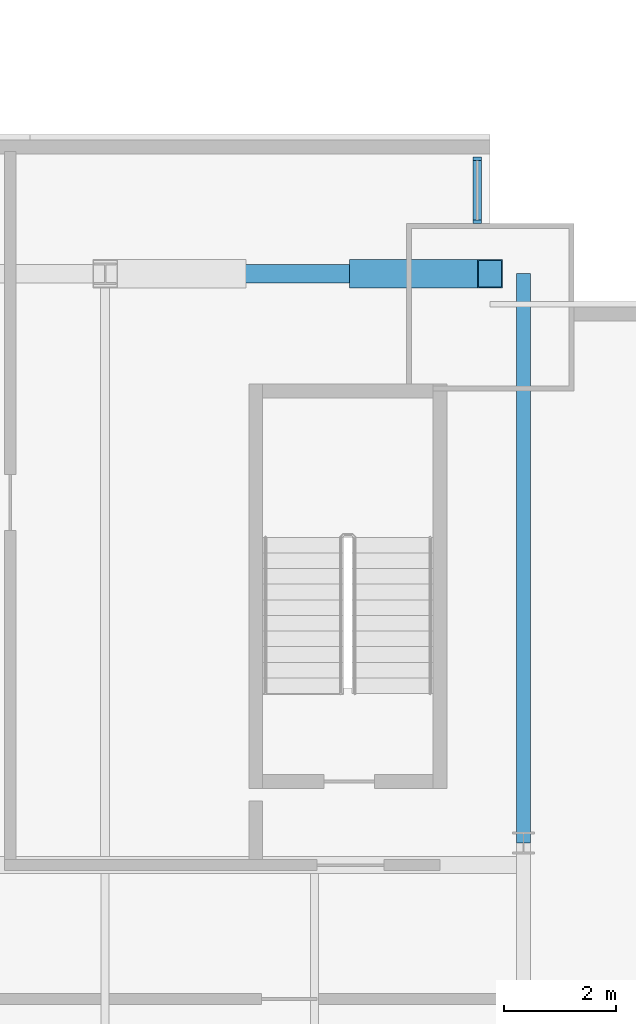
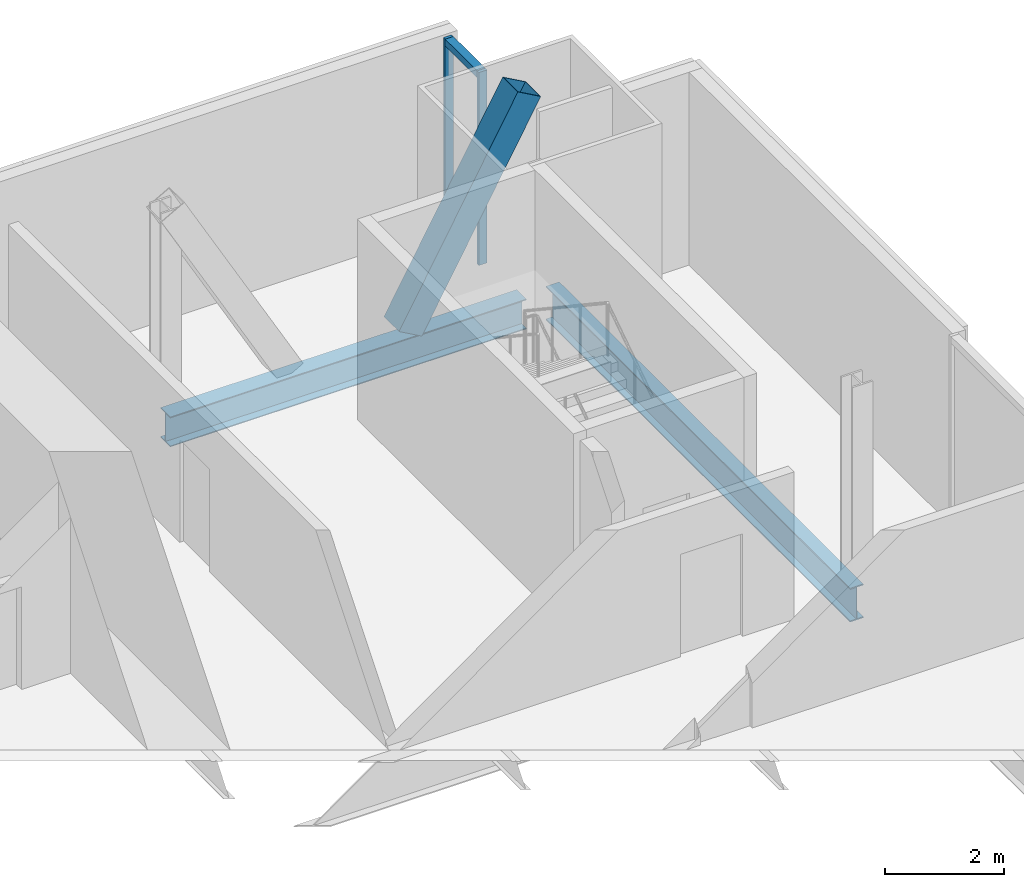
# One storey, part 13 of 21: 4 members, 2 beams, 1 element without a shape of its own.
"""IFC4 building model written with IfcOpenShell, lengths in metres."""

import ifcopenshell
import ifcopenshell.guid

model = None  # the IFC model being written
_history = None  # IfcOwnerHistory: only IFC2X3 demands one
_inside = {}  # id of a spatial element -> (the spatial element, [elements in it])
_under = {}  # id of a project, library or spatial element -> (it, [spatial elements below it])
_declared = {}  # id of a project -> (the project, [libraries it declares])
_typed = {}  # id of a type object -> (the type object, [elements of that type])
_made_of = {}  # id of a material, layer set ... -> (it, [elements and type objects made of it])


def new_model(schema):
    """Start an empty IFC model of exactly this schema.

    Asked for "IFC4X3", IfcOpenShell would pick the latest addendum, in which some entities
    have other attributes; the version numbers below select the first issue.
    IFC2X3 requires an IfcOwnerHistory on every rooted entity: one is made here for all.
    """
    global model, _history
    if schema == "IFC4X3":
        model = ifcopenshell.file(schema_version=(4, 3, 0, 0))
    else:
        model = ifcopenshell.file(schema=schema)
    _inside.clear()
    _under.clear()
    _declared.clear()
    _typed.clear()
    _made_of.clear()
    _history = None
    if model.schema == "IFC2X3":
        org = make("IfcOrganization", Name="unknown")
        user = make(
            "IfcPersonAndOrganization",
            ThePerson=make("IfcPerson", FamilyName="unknown"),
            TheOrganization=org,
        )
        app = make(
            "IfcApplication",
            ApplicationDeveloper=org,
            Version="unknown",
            ApplicationFullName="unknown",
            ApplicationIdentifier="unknown",
        )
        _history = make(
            "IfcOwnerHistory",
            OwningUser=user,
            OwningApplication=app,
            ChangeAction="ADDED",
            CreationDate=0,
        )
    return model


def make(cls, **values):
    """One entity of the class cls with the attributes given. An attribute that is None is left unset."""
    return model.create_entity(
        cls, **{name: value for name, value in values.items() if value is not None}
    )


def rooted(cls, **values):
    """An entity with a GlobalId (a new one), such as an element, a storey or a relation."""
    return make(cls, GlobalId=ifcopenshell.guid.new(), OwnerHistory=_history, **values)


def si_unit(unit_type, name, prefix=None):
    """IfcSIUnit, for example si_unit("LENGTHUNIT", "METRE", prefix="MILLI")."""
    return make("IfcSIUnit", UnitType=unit_type, Prefix=prefix, Name=name)


def assignment(units):
    """IfcUnitAssignment: the units of a project."""
    return None if units is None else make("IfcUnitAssignment", Units=units)


def point(xyz):
    """IfcCartesianPoint."""
    return None if xyz is None else make("IfcCartesianPoint", Coordinates=xyz)


def direction(xyz):
    """IfcDirection."""
    return None if xyz is None else make("IfcDirection", DirectionRatios=xyz)


def frame(location, z_axis=None, x_axis=None):
    """IfcAxis2Placement3D, a coordinate frame: its origin and axes. An axis left out is left unset."""
    return make(
        "IfcAxis2Placement3D",
        Location=point(location),
        Axis=direction(z_axis),
        RefDirection=direction(x_axis),
    )


def frame_2d(location, x_axis=None):
    """IfcAxis2Placement2D, a coordinate frame in the plane: its origin and x axis."""
    return make(
        "IfcAxis2Placement2D", Location=point(location), RefDirection=direction(x_axis)
    )


def origin():
    """The frame at (0, 0, 0) with its axes left unset."""
    return frame((0.0, 0.0, 0.0))


def origin_2d():
    """The frame at (0, 0) in the plane with its x axis left unset."""
    return frame_2d((0.0, 0.0))


def place(relative_to, where):
    """IfcLocalPlacement: puts the frame where relative to a parent placement (None: the world)."""
    return make(
        "IfcLocalPlacement", PlacementRelTo=relative_to, RelativePlacement=where
    )


def context(
    kind, dimensions, precision=None, world=None, true_north=None, identifier=None
):
    """IfcGeometricRepresentationContext, for example the 3D "Model" context."""
    return make(
        "IfcGeometricRepresentationContext",
        ContextIdentifier=identifier,
        ContextType=kind,
        CoordinateSpaceDimension=dimensions,
        Precision=precision,
        WorldCoordinateSystem=world,
        TrueNorth=true_north,
    )


def subcontext(parent, identifier, kind, view, scale=None):
    """IfcGeometricRepresentationSubContext, for example "Body" below "Model"."""
    return make(
        "IfcGeometricRepresentationSubContext",
        ContextIdentifier=identifier,
        ContextType=kind,
        ParentContext=parent,
        TargetScale=scale,
        TargetView=view,
    )


def project(units=None, contexts=None):
    """IfcProject with its units and contexts."""
    return rooted(
        "IfcProject",
        Name="project",
        RepresentationContexts=contexts,
        UnitsInContext=assignment(units),
    )


def spatial(cls, under=None, at=None, **own):
    """A site, building, storey or space (cls), placed at a placement, below another one or the project."""
    s = rooted(cls, ObjectPlacement=at, **own)
    if under is not None:
        _under.setdefault(under.id(), (under, []))[1].append(s)
    return s


def profile(cls, at=None, kind="AREA", **sizes):
    """A parametric profile (cls). Its sizes go by their IFC names, for example OverallWidth=200.0."""
    return make(cls, ProfileType=kind, Position=at, **sizes)


def rectangle(**sizes):
    """IfcRectangleProfileDef."""
    return profile("IfcRectangleProfileDef", **sizes)


def hollow_rectangle(**sizes):
    """IfcRectangleHollowProfileDef."""
    return profile("IfcRectangleHollowProfileDef", **sizes)


def i_section(**sizes):
    """IfcIShapeProfileDef."""
    return profile("IfcIShapeProfileDef", **sizes)


def extrude(swept, where, along, depth):
    """IfcExtrudedAreaSolid: the profile swept, set in the frame where, extruded along a direction by depth."""
    return make(
        "IfcExtrudedAreaSolid",
        SweptArea=swept,
        Position=where,
        ExtrudedDirection=direction(along),
        Depth=depth,
    )


def shape(context_of_items, identifier, shape_type, items):
    """IfcShapeRepresentation: the items that make up one representation, for example the "Body"."""
    return make(
        "IfcShapeRepresentation",
        ContextOfItems=context_of_items,
        RepresentationIdentifier=identifier,
        RepresentationType=shape_type,
        Items=items,
    )


def material(Name=None, Category=None):
    """IfcMaterial."""
    return make("IfcMaterial", Name=Name, Category=Category)


def material_profile(
    of_material, cross_section, Name=None, Category=None, Priority=None
):
    """IfcMaterialProfile: a cross section and its material."""
    return make(
        "IfcMaterialProfile",
        Name=Name,
        Material=of_material,
        Profile=cross_section,
        Priority=Priority,
        Category=Category,
    )


def profile_set(profiles, Name=None, composite=None):
    """IfcMaterialProfileSet."""
    return make(
        "IfcMaterialProfileSet",
        Name=Name,
        MaterialProfiles=profiles,
        CompositeProfile=composite,
    )


def made_of(thing, what):
    """Note that an element or type object is made of a material, layer set ...; save() writes the relation."""
    if what is not None:
        _made_of.setdefault(what.id(), (what, []))[1].append(thing)
    return thing


def type_object(cls, material=None, **own):
    """A type object (cls), such as IfcWallType, which elements share."""
    return made_of(rooted(cls, **own), material)


def element(
    cls,
    number,
    at=None,
    inside=None,
    cuts=None,
    type_object=None,
    material=None,
    context=None,
    identifier="Body",
    shape_type=None,
    held_by="IfcProductDefinitionShape",
    body=None,
    shapes=None,
    **own,
):
    """One element of the class cls, such as IfcWall. Its Tag is "e" and its number.

    at: its placement. inside: the storey or other place that contains it. cuts: it is an
    opening in that element (IfcRelVoidsElement). A single representation is given by context,
    identifier, shape_type and body (its items); several are given by shapes. held_by: the class
    of the entity that holds the representations. save() writes the other relations.
    """
    e = rooted(cls, Tag="e%d" % number, ObjectPlacement=at, **own)
    if body is not None:
        shapes = [shape(context, identifier, shape_type, body)]
    if shapes is not None:
        e.Representation = make(held_by, Representations=shapes)
    if inside is not None:
        _inside.setdefault(inside.id(), (inside, []))[1].append(e)
    if cuts is not None:
        rooted(
            "IfcRelVoidsElement", RelatingBuildingElement=cuts, RelatedOpeningElement=e
        )
    if type_object is not None:
        _typed.setdefault(type_object.id(), (type_object, []))[1].append(e)
    return made_of(e, material)


def aggregate(whole, parts):
    """IfcRelAggregates: a whole, such as a stair, and the parts it consists of."""
    return rooted("IfcRelAggregates", RelatingObject=whole, RelatedObjects=parts)


def save(model, path):
    """Write the relations noted so far, then the file.

    IfcRelAggregates (storeys below a building ...), IfcRelContainedInSpatialStructure (elements
    in a storey), IfcRelDefinesByType, IfcRelAssociatesMaterial and IfcRelDeclares: one each for
    every whole, place, type object, material and project.
    """
    for whole, parts in _under.values():
        aggregate(whole, parts)
    for where, things in _inside.values():
        rooted(
            "IfcRelContainedInSpatialStructure",
            RelatedElements=things,
            RelatingStructure=where,
        )
    for kind, things in _typed.values():
        rooted("IfcRelDefinesByType", RelatedObjects=things, RelatingType=kind)
    for what, things in _made_of.values():
        rooted("IfcRelAssociatesMaterial", RelatedObjects=things, RelatingMaterial=what)
    for by, libraries in _declared.values():
        rooted("IfcRelDeclares", RelatingContext=by, RelatedDefinitions=libraries)
    model.write(path)


model = new_model("IFC4")

# Units and contexts
model_context = context("Model", 3, precision=1e-05, world=origin(), true_north=direction((0.0, 1.0)))
body_context = subcontext(model_context, "Body", "Model", "MODEL_VIEW")
ifc_project = project(units=[si_unit("LENGTHUNIT", "METRE"), si_unit("AREAUNIT", "SQUARE_METRE"), si_unit("VOLUMEUNIT", "CUBIC_METRE"), si_unit("PLANEANGLEUNIT", "RADIAN"), si_unit("MASSUNIT", "GRAM", prefix="KILO")], contexts=[model_context])

# Site, building, storey
site_placement = place(None, origin())
site = spatial("IfcSite", under=ifc_project, at=site_placement, CompositionType="ELEMENT")
building_placement = place(site_placement, origin())
building = spatial("IfcBuilding", under=site, at=building_placement, Name="Bicima Exchange Tower", CompositionType="ELEMENT")
storey_placement = place(building_placement, frame((0.0, 0.0, 98.10009765625)))
storey = spatial("IfcBuildingStorey", under=building, at=storey_placement, Name="L20", CompositionType="ELEMENT", Elevation=98.10009765625)

# Beam
ifc_material_1 = material(Name="Steel ASTM A992 Gr 50", Category="steel")
ifc_material_profile_1 = material_profile(ifc_material_1, i_section(OverallWidth=0.256591796875, OverallDepth=0.693359375, WebThickness=0.014404296875, FlangeThickness=0.023681640625, at=origin_2d()))
ifc_profile_set_1 = profile_set([ifc_material_profile_1], Name="Steel ASTM A992 Gr 50")
beam_type_1 = type_object("IfcBeamType", Name="End girder W27x114", PredefinedType="BEAM", material=ifc_profile_set_1)
beam_1_placement = place(storey_placement, frame((33.60009765625, -2.39990234375, -0.496826171875), z_axis=(0.0, -1.0, 0.0), x_axis=(1.0, 0.0, 0.0)))
element("IfcBeam", 1, at=beam_1_placement, inside=storey, type_object=beam_type_1, Name="End girder", PredefinedType="BEAM", context=body_context, shape_type="SweptSolid", body=[
    extrude(i_section(OverallWidth=0.256591796875, OverallDepth=0.693359375, WebThickness=0.014404296875, FlangeThickness=0.023681640625, at=origin_2d()), origin(), (0.0, 0.0, 1.0), 10.2001953125),
])

# Curtain wall, members
ifc_material_2 = material(Name="Anodised bronze aluminium", Category="aluminium")
curtain_wall_type = type_object("IfcCurtainWallType", Name="Front glass wall", PredefinedType="NOTDEFINED", material=ifc_material_2)
curtain_wall_placement = place(storey_placement, origin())
curtain_wall = element("IfcCurtainWall", 2, at=curtain_wall_placement, inside=storey, type_object=curtain_wall_type, Name="Front glass wall L20 run 20", PredefinedType="NOTDEFINED")
ifc_material_profile_2 = material_profile(ifc_material_2, rectangle(XDim=0.159912109375, YDim=0.06005859375, at=origin_2d()))
ifc_profile_set_2 = profile_set([ifc_material_profile_2], Name="Anodised bronze aluminium")
member_type_1 = type_object("IfcMemberType", Name="Front glass wall mullion 60 x 160", PredefinedType="MULLION", material=ifc_profile_set_2)
member_1_placement = place(storey_placement, frame((32.77001953125, -1.469970703125, 0.0), z_axis=(0.0, 0.0, 1.0), x_axis=(-1.0, 0.0, 0.0)))
member_1 = element("IfcMember", 3, at=member_1_placement, type_object=member_type_1, Name="Front glass wall mullion 1", PredefinedType="MULLION", context=body_context, shape_type="SweptSolid", body=[
    extrude(rectangle(XDim=0.159912109375, YDim=0.06005859375, at=origin_2d()), origin(), (0.0, 0.0, 1.0), 3.949951171875),
])
member_2_placement = place(storey_placement, frame((32.77001953125, -0.340087890625, 0.0), z_axis=(0.0, 0.0, 1.0), x_axis=(-1.0, 0.0, 0.0)))
member_2 = element("IfcMember", 4, at=member_2_placement, type_object=member_type_1, Name="Front glass wall mullion 2", PredefinedType="MULLION", context=body_context, shape_type="SweptSolid", body=[
    extrude(rectangle(XDim=0.159912109375, YDim=0.06005859375, at=origin_2d()), origin(), (0.0, 0.0, 1.0), 3.949951171875),
])
ifc_material_profile_3 = material_profile(ifc_material_2, rectangle(XDim=0.159912109375, YDim=0.139892578125, at=origin_2d()))
ifc_profile_set_3 = profile_set([ifc_material_profile_3], Name="Anodised bronze aluminium")
member_type_2 = type_object("IfcMemberType", Name="Front glass wall transom 140 x 160", PredefinedType="USERDEFINED", material=ifc_profile_set_3)
member_3_placement = place(storey_placement, frame((32.77001953125, -1.43994140625, 3.8798828125), z_axis=(0.0, 1.0, 0.0), x_axis=(-1.0, 0.0, 0.0)))
member_3 = element("IfcMember", 5, at=member_3_placement, type_object=member_type_2, Name="Front glass wall transom 1.1", ObjectType="TRANSOM", PredefinedType="USERDEFINED", context=body_context, shape_type="SweptSolid", body=[
    extrude(rectangle(XDim=0.159912109375, YDim=0.139892578125, at=origin_2d()), origin(), (0.0, 0.0, 1.0), 1.06982421875),
])
aggregate(curtain_wall, [member_1, member_2, member_3])

# Member
ifc_material_3 = material(Name="Steel ASTM A572 Gr 50", Category="steel")
ifc_material_profile_4 = material_profile(ifc_material_3, hollow_rectangle(XDim=0.508056640625, YDim=0.508056640625, WallThickness=0.0146484375, at=origin_2d()))
ifc_profile_set_4 = profile_set([ifc_material_profile_4], Name="Steel ASTM A572 Gr 50")
member_type_3 = type_object("IfcMemberType", Name="Mega brace HSS20x20x5/8", PredefinedType="BRACE", material=ifc_profile_set_4)
member_4_placement = place(storey_placement, frame((30.699951171875, -2.39990234375, 0.0), z_axis=(0.489272170815, 0.0, 0.872131150037), x_axis=(0.0, 1.0, 0.0)))
element("IfcMember", 6, at=member_4_placement, inside=storey, type_object=member_type_3, Name="Mega brace rear", PredefinedType="BRACE", context=body_context, shape_type="SweptSolid", body=[
    extrude(hollow_rectangle(XDim=0.508056640625, YDim=0.508056640625, WallThickness=0.0146484375, at=origin_2d()), origin(), (0.0, 0.0, 1.0), 4.700927734375),
])

# Beam
ifc_material_profile_5 = material_profile(ifc_material_1, i_section(OverallWidth=0.3251953125, OverallDepth=0.612060546875, WebThickness=0.0126953125, FlangeThickness=0.01904296875, at=origin_2d()))
ifc_profile_set_5 = profile_set([ifc_material_profile_5], Name="Steel ASTM A992 Gr 50")
beam_type_2 = type_object("IfcBeamType", Name="Rear girder W24x104", PredefinedType="BEAM", material=ifc_profile_set_5)
beam_2_placement = place(storey_placement, frame((26.10009765625, -2.39990234375, -0.456298828125), z_axis=(1.0, 0.0, 0.0), x_axis=(0.0, 1.0, 0.0)))
element("IfcBeam", 7, at=beam_2_placement, inside=storey, type_object=beam_type_2, Name="Rear girder", PredefinedType="BEAM", context=body_context, shape_type="SweptSolid", body=[
    extrude(i_section(OverallWidth=0.3251953125, OverallDepth=0.612060546875, WebThickness=0.0126953125, FlangeThickness=0.01904296875, at=origin_2d()), origin(), (0.0, 0.0, 1.0), 6.89990234375),
])

save(model, "model.ifc")
